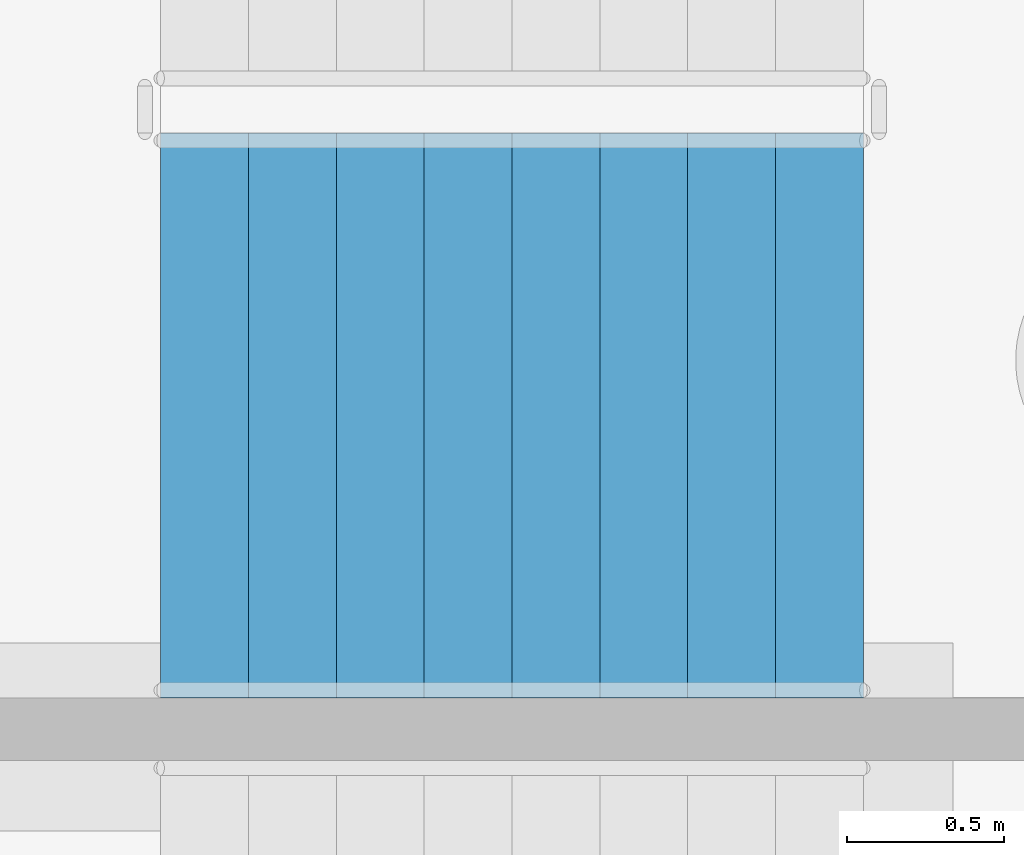
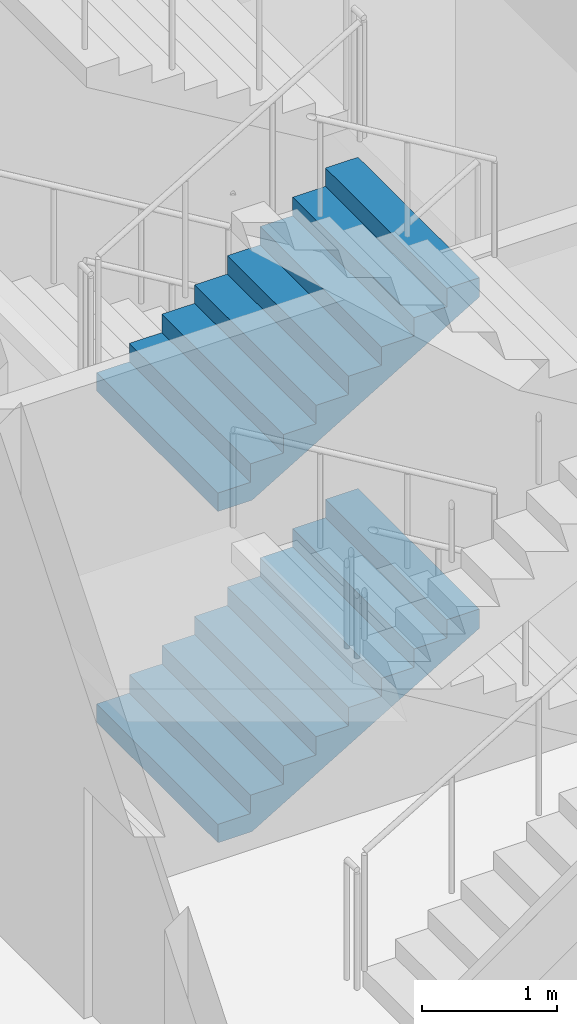
# One storey, part 25 of 39: 2 stair flights, 1 element without a shape of its own.
"""IFC4 building model written with IfcOpenShell, lengths in metres."""

from ifc_helpers import new_model, si_unit, direction, frame, origin, place, context, subcontext, project, spatial, triangles, material, type_object, element, aggregate, save


model = new_model("IFC4")

# Units and contexts
model_context = context("Model", 3, precision=1e-05, world=origin(), true_north=direction((0.0, 1.0)))
body_context = subcontext(model_context, "Body", "Model", "MODEL_VIEW")
ifc_project = project(units=[si_unit("LENGTHUNIT", "METRE"), si_unit("AREAUNIT", "SQUARE_METRE"), si_unit("VOLUMEUNIT", "CUBIC_METRE"), si_unit("PLANEANGLEUNIT", "RADIAN"), si_unit("MASSUNIT", "GRAM", prefix="KILO")], contexts=[model_context])

# Site, building, storey
site_placement = place(None, origin())
site = spatial("IfcSite", under=ifc_project, at=site_placement, CompositionType="ELEMENT")
building_placement = place(site_placement, origin())
building = spatial("IfcBuilding", under=site, at=building_placement, Name="Magnolia Steps Interchange", CompositionType="ELEMENT")
storey_placement = place(building_placement, frame((0.0, 0.0, -11.39990234375)))
storey = spatial("IfcBuildingStorey", under=building, at=storey_placement, Name="B2", CompositionType="ELEMENT", Elevation=-11.39990234375)

# Stair, stair flights
ifc_material_1 = material(Name="Concrete C40", Category="concrete")
stair_type = type_object("IfcStairType", Name="Exit stair 1800", PredefinedType="HALF_TURN_STAIR", material=ifc_material_1)
stair_placement = place(storey_placement, origin())
stair = element("IfcStair", 1, at=stair_placement, inside=storey, type_object=stair_type, Name="B2 Stair 13", PredefinedType="HALF_TURN_STAIR")
ifc_material_2 = material(Name="Concrete C40", Category="concrete")
stair_flight_type = type_object("IfcStairFlightType", Name="Exit stair flight", PredefinedType="STRAIGHT", material=ifc_material_2)
stair_flight_1_placement = place(storey_placement, frame((156.875, 65.02490234375, 0.0), z_axis=(0.0, 0.0, 1.0), x_axis=(1.0, 0.0, 0.0)))
stair_flight_1 = element("IfcStairFlight", 2, at=stair_flight_1_placement, type_object=stair_flight_type, Name="Stair 13 flight 1", NumberOfRisers=9, NumberOfTreads=8, PredefinedType="STRAIGHT", RiserHeight=0.166666667, TreadLength=0.28, context=body_context, shape_type="Tessellation", body=[
    triangles([(0.0, -0.9000244140625, 0.0), (0.29296875, -0.9000244140625, 0.0), (2.239990234375, -0.9000244140625, 1.158935546875), (2.239990234375, -0.9000244140625, 1.333251953125), (1.9599609375, -0.9000244140625, 1.333251953125), (1.9599609375, -0.9000244140625, 1.166748046875), (1.679931640625, -0.9000244140625, 1.166748046875), (1.679931640625, -0.9000244140625, 1.0), (1.39990234375, -0.9000244140625, 1.0), (1.39990234375, -0.9000244140625, 0.833251953125), (1.1201171875, -0.9000244140625, 0.833251953125), (1.1201171875, -0.9000244140625, 0.666748046875), (0.840087890625, -0.9000244140625, 0.666748046875), (0.840087890625, -0.9000244140625, 0.5), (0.56005859375, -0.9000244140625, 0.5), (0.56005859375, -0.9000244140625, 0.333251953125), (0.280029296875, -0.9000244140625, 0.333251953125), (0.280029296875, -0.9000244140625, 0.166748046875), (0.0, -0.9000244140625, 0.166748046875), (0.0, 0.9000244140625, 0.0), (0.29296875, 0.9000244140625, 0.0), (2.239990234375, 0.9000244140625, 1.158935546875), (2.239990234375, 0.9000244140625, 1.333251953125), (1.9599609375, 0.9000244140625, 1.333251953125), (1.9599609375, 0.9000244140625, 1.166748046875), (1.679931640625, 0.9000244140625, 1.166748046875), (1.679931640625, 0.9000244140625, 1.0), (1.39990234375, 0.9000244140625, 1.0), (1.39990234375, 0.9000244140625, 0.833251953125), (1.1201171875, 0.9000244140625, 0.833251953125), (1.1201171875, 0.9000244140625, 0.666748046875), (0.840087890625, 0.9000244140625, 0.666748046875), (0.840087890625, 0.9000244140625, 0.5), (0.56005859375, 0.9000244140625, 0.5), (0.56005859375, 0.9000244140625, 0.333251953125), (0.280029296875, 0.9000244140625, 0.333251953125), (0.280029296875, 0.9000244140625, 0.166748046875), (0.0, 0.9000244140625, 0.166748046875), (0.0, 0.0, 0.0), (0.0, 0.0, 0.04168701171875), (0.0, 0.0, 0.0833740234375), (0.0, 0.0, 0.12506103515625), (0.0, 0.0, 0.166748046875), (0.0, -0.05, 0.0), (0.0, -0.05, 0.166748046875), (0.0, 0.05, 0.0), (0.0, 0.05, 0.166748046875), (0.046671549479166664, 0.0, 0.166748046875), (0.09334309895833333, 0.0, 0.166748046875), (0.1400146484375, 0.0, 0.166748046875), (0.18668619791666666, 0.0, 0.166748046875), (0.23335774739583334, 0.0, 0.166748046875), (0.280029296875, 0.0, 0.166748046875), (0.280029296875, -0.05, 0.166748046875), (0.280029296875, 0.05, 0.166748046875), (0.280029296875, 0.0, 0.2083740234375), (0.280029296875, 0.0, 0.25), (0.280029296875, 0.0, 0.2916259765625), (0.280029296875, 0.0, 0.333251953125), (0.280029296875, -0.05, 0.333251953125), (0.280029296875, 0.05, 0.333251953125), (0.3267008463541667, 0.0, 0.333251953125), (0.3733723958333333, 0.0, 0.333251953125), (0.4200439453125, 0.0, 0.333251953125), (0.46671549479166663, 0.0, 0.333251953125), (0.5133870442708334, 0.0, 0.333251953125), (0.56005859375, 0.0, 0.333251953125), (0.56005859375, -0.05, 0.333251953125), (0.56005859375, 0.05, 0.333251953125), (0.56005859375, 0.0, 0.37493896484375), (0.56005859375, 0.0, 0.4166259765625), (0.56005859375, 0.0, 0.45831298828125), (0.56005859375, 0.0, 0.5), (0.56005859375, -0.05, 0.5), (0.56005859375, 0.05, 0.5), (0.6067301432291666, 0.0, 0.5), (0.6534016927083334, 0.0, 0.5), (0.7000732421875, 0.0, 0.5), (0.7467447916666666, 0.0, 0.5), (0.7934163411458334, 0.0, 0.5), (0.840087890625, 0.0, 0.5), (0.840087890625, -0.05, 0.5), (0.840087890625, 0.05, 0.5), (0.840087890625, 0.0, 0.54168701171875), (0.840087890625, 0.0, 0.5833740234375), (0.840087890625, 0.0, 0.62506103515625), (0.840087890625, 0.0, 0.666748046875), (0.840087890625, -0.05, 0.666748046875), (0.840087890625, 0.05, 0.666748046875), (0.8867594401041666, 0.0, 0.666748046875), (0.9334309895833334, 0.0, 0.666748046875), (0.9801025390625, 0.0, 0.666748046875), (1.0267740885416667, 0.0, 0.666748046875), (1.0734456380208333, 0.0, 0.666748046875), (1.1201171875, 0.0, 0.666748046875), (1.1201171875, -0.05, 0.666748046875), (1.1201171875, 0.05, 0.666748046875), (1.1201171875, 0.0, 0.7083740234375), (1.1201171875, 0.0, 0.75), (1.1201171875, 0.0, 0.7916259765625), (1.1201171875, 0.0, 0.833251953125), (1.1201171875, -0.05, 0.833251953125), (1.1201171875, 0.05, 0.833251953125), (1.1900634765625, 0.0, 0.833251953125), (1.260009765625, 0.0, 0.833251953125), (1.3299560546875, 0.0, 0.833251953125), (1.39990234375, 0.0, 0.833251953125), (1.39990234375, -0.05, 0.833251953125), (1.39990234375, 0.05, 0.833251953125), (1.39990234375, 0.0, 0.87493896484375), (1.39990234375, 0.0, 0.9166259765625), (1.39990234375, 0.0, 0.95831298828125), (1.39990234375, 0.0, 1.0), (1.39990234375, -0.05, 1.0), (1.39990234375, 0.05, 1.0), (1.4465738932291667, 0.0, 1.0), (1.4932454427083333, 0.0, 1.0), (1.5399169921875, 0.0, 1.0), (1.5865885416666667, 0.0, 1.0), (1.6332600911458333, 0.0, 1.0), (1.679931640625, 0.0, 1.0), (1.679931640625, -0.05, 1.0), (1.679931640625, 0.05, 1.0), (1.679931640625, 0.0, 1.04168701171875), (1.679931640625, 0.0, 1.0833740234375), (1.679931640625, 0.0, 1.12506103515625), (1.679931640625, 0.0, 1.166748046875), (1.679931640625, -0.05, 1.166748046875), (1.679931640625, 0.05, 1.166748046875), (1.7266031901041667, 0.0, 1.166748046875), (1.7732747395833333, 0.0, 1.166748046875), (1.8199462890625, 0.0, 1.166748046875), (1.8666178385416667, 0.0, 1.166748046875), (1.9132893880208333, 0.0, 1.166748046875), (1.9599609375, 0.0, 1.166748046875), (1.9599609375, -0.05, 1.166748046875), (1.9599609375, 0.05, 1.166748046875), (1.9599609375, 0.0, 1.2083740234375), (1.9599609375, 0.0, 1.25), (1.9599609375, 0.0, 1.2916259765625), (1.9599609375, 0.0, 1.333251953125), (1.9599609375, -0.05, 1.333251953125), (1.9599609375, 0.05, 1.333251953125), (2.0066324869791665, 0.0, 1.333251953125), (2.0533040364583335, 0.0, 1.333251953125), (2.0999755859375, 0.0, 1.333251953125), (2.1466471354166665, 0.0, 1.333251953125), (2.1933186848958335, 0.0, 1.333251953125), (2.239990234375, 0.0, 1.333251953125), (2.239990234375, -0.05, 1.333251953125), (2.239990234375, 0.05, 1.333251953125), (2.239990234375, 0.0, 1.2896728515625), (2.239990234375, 0.0, 1.24609375), (2.239990234375, 0.0, 1.2025146484375), (2.239990234375, 0.0, 1.158935546875), (2.239990234375, -0.05, 1.158935546875), (2.239990234375, 0.05, 1.158935546875), (2.1827248965992645, 0.0, 1.1248492072610294), (2.1254595588235294, 0.0, 1.0907628676470589), (2.068194221047794, 0.0, 1.0566765280330883), (2.010928883272059, 0.0, 1.0225901884191178), (1.9536635454963236, 0.0, 0.9885038488051471), (1.8963982077205883, 0.0, 0.9544175091911764), (1.8391328699448528, 0.0, 0.9203311695772058), (1.7818675321691178, 0.0, 0.8862448299632353), (1.7246021943933822, 0.0, 0.8521584903492647), (1.6673368566176472, 0.0, 0.8180721507352942), (1.6100715188419117, 0.0, 0.7839858111213236), (1.5528061810661766, 0.0, 0.7498994715073529), (1.4955408432904411, 0.0, 0.7158131318933824), (1.4382755055147058, 0.0, 0.6817267922794117), (1.3810101677389706, 0.0, 0.6476404526654411), (1.3237448299632353, 0.0, 0.6135541130514706), (1.2664794921875, 0.0, 0.5794677734375), (1.2092141544117647, 0.0, 0.5453814338235294), (1.1519488166360294, 0.0, 0.5112950942095589), (1.0946834788602942, 0.0, 0.4772087545955882), (1.0374181410845589, 0.0, 0.44312241498161764), (0.9801528033088236, 0.0, 0.4090360753676471), (0.9228874655330883, 0.0, 0.3749497357536765), (0.865622127757353, 0.0, 0.34086339613970584), (0.8083567899816178, 0.0, 0.3067770565257353), (0.7510914522058822, 0.0, 0.2726907169117647), (0.693826114430147, 0.0, 0.23860437729779416), (0.6365607766544117, 0.0, 0.20451803768382348), (0.5792954388786764, 0.0, 0.17043169806985292), (0.5220301011029411, 0.0, 0.13634535845588225), (0.46476476332720584, 0.0, 0.10225901884191169), (0.40749942555147056, 0.0, 0.06817267922794112), (0.3502340877757353, 0.0, 0.03408633961397056), (0.29296875, 0.0, 0.0), (0.29296875, -0.05, 0.0), (0.29296875, 0.05, 0.0), (0.244140625, 0.0, 0.0), (0.1953125, 0.0, 0.0), (0.146484375, 0.0, 0.0), (0.09765625, 0.0, 0.0), (0.048828125, 0.0, 0.0)], [[1, 2, 3], [3, 4, 5], [3, 5, 6], [3, 6, 7], [3, 7, 8], [8, 9, 10], [3, 8, 10], [10, 11, 12], [3, 10, 12], [12, 13, 14], [3, 12, 14], [14, 15, 16], [3, 14, 16], [1, 3, 16], [16, 17, 18], [1, 16, 18], [18, 19, 1], [20, 22, 21], [22, 24, 23], [22, 25, 24], [22, 26, 25], [22, 27, 26], [27, 29, 28], [22, 29, 27], [29, 31, 30], [22, 31, 29], [31, 33, 32], [22, 33, 31], [33, 35, 34], [22, 35, 33], [20, 35, 22], [35, 37, 36], [20, 37, 35], [37, 20, 38], [1, 19, 45], [1, 45, 44], [44, 40, 39], [44, 41, 40], [44, 45, 41], [45, 42, 41], [45, 43, 42], [20, 47, 38], [20, 46, 47], [46, 39, 40], [46, 40, 41], [46, 41, 47], [47, 41, 42], [47, 42, 43], [19, 18, 54], [19, 54, 45], [45, 48, 43], [45, 49, 48], [45, 50, 49], [45, 54, 50], [54, 51, 50], [54, 52, 51], [54, 53, 52], [38, 55, 37], [38, 47, 55], [47, 43, 48], [47, 48, 49], [47, 49, 50], [47, 50, 55], [55, 50, 51], [55, 51, 52], [55, 52, 53], [18, 17, 60], [18, 60, 54], [54, 56, 53], [54, 57, 56], [54, 60, 57], [60, 58, 57], [60, 59, 58], [37, 61, 36], [37, 55, 61], [55, 53, 56], [55, 56, 57], [55, 57, 61], [61, 57, 58], [61, 58, 59], [17, 16, 68], [17, 68, 60], [60, 62, 59], [60, 63, 62], [60, 64, 63], [60, 68, 64], [68, 65, 64], [68, 66, 65], [68, 67, 66], [36, 69, 35], [36, 61, 69], [61, 59, 62], [61, 62, 63], [61, 63, 64], [61, 64, 69], [69, 64, 65], [69, 65, 66], [69, 66, 67], [16, 15, 74], [16, 74, 68], [68, 70, 67], [68, 71, 70], [68, 74, 71], [74, 72, 71], [74, 73, 72], [35, 75, 34], [35, 69, 75], [69, 67, 70], [69, 70, 71], [69, 71, 75], [75, 71, 72], [75, 72, 73], [15, 14, 82], [15, 82, 74], [74, 76, 73], [74, 77, 76], [74, 78, 77], [74, 82, 78], [82, 79, 78], [82, 80, 79], [82, 81, 80], [34, 83, 33], [34, 75, 83], [75, 73, 76], [75, 76, 77], [75, 77, 78], [75, 78, 83], [83, 78, 79], [83, 79, 80], [83, 80, 81], [14, 13, 88], [14, 88, 82], [82, 84, 81], [82, 85, 84], [82, 88, 85], [88, 86, 85], [88, 87, 86], [33, 89, 32], [33, 83, 89], [83, 81, 84], [83, 84, 85], [83, 85, 89], [89, 85, 86], [89, 86, 87], [13, 12, 96], [13, 96, 88], [88, 90, 87], [88, 91, 90], [88, 92, 91], [88, 96, 92], [96, 93, 92], [96, 94, 93], [96, 95, 94], [32, 97, 31], [32, 89, 97], [89, 87, 90], [89, 90, 91], [89, 91, 92], [89, 92, 97], [97, 92, 93], [97, 93, 94], [97, 94, 95], [12, 11, 102], [12, 102, 96], [96, 98, 95], [96, 99, 98], [96, 102, 99], [102, 100, 99], [102, 101, 100], [31, 103, 30], [31, 97, 103], [97, 95, 98], [97, 98, 99], [97, 99, 103], [103, 99, 100], [103, 100, 101], [11, 10, 108], [11, 108, 102], [102, 104, 101], [102, 105, 104], [102, 108, 105], [108, 106, 105], [108, 107, 106], [30, 109, 29], [30, 103, 109], [103, 101, 104], [103, 104, 105], [103, 105, 109], [109, 105, 106], [109, 106, 107], [10, 9, 114], [10, 114, 108], [108, 110, 107], [108, 111, 110], [108, 114, 111], [114, 112, 111], [114, 113, 112], [29, 115, 28], [29, 109, 115], [109, 107, 110], [109, 110, 111], [109, 111, 115], [115, 111, 112], [115, 112, 113], [9, 8, 122], [9, 122, 114], [114, 116, 113], [114, 117, 116], [114, 118, 117], [114, 122, 118], [122, 119, 118], [122, 120, 119], [122, 121, 120], [28, 123, 27], [28, 115, 123], [115, 113, 116], [115, 116, 117], [115, 117, 118], [115, 118, 123], [123, 118, 119], [123, 119, 120], [123, 120, 121], [8, 7, 128], [8, 128, 122], [122, 124, 121], [122, 125, 124], [122, 128, 125], [128, 126, 125], [128, 127, 126], [27, 129, 26], [27, 123, 129], [123, 121, 124], [123, 124, 125], [123, 125, 129], [129, 125, 126], [129, 126, 127], [7, 6, 136], [7, 136, 128], [128, 130, 127], [128, 131, 130], [128, 132, 131], [128, 136, 132], [136, 133, 132], [136, 134, 133], [136, 135, 134], [26, 137, 25], [26, 129, 137], [129, 127, 130], [129, 130, 131], [129, 131, 132], [129, 132, 137], [137, 132, 133], [137, 133, 134], [137, 134, 135], [6, 5, 142], [6, 142, 136], [136, 138, 135], [136, 139, 138], [136, 142, 139], [142, 140, 139], [142, 141, 140], [25, 143, 24], [25, 137, 143], [137, 135, 138], [137, 138, 139], [137, 139, 143], [143, 139, 140], [143, 140, 141], [5, 4, 150], [5, 150, 142], [142, 144, 141], [142, 145, 144], [142, 146, 145], [142, 150, 146], [150, 147, 146], [150, 148, 147], [150, 149, 148], [24, 151, 23], [24, 143, 151], [143, 141, 144], [143, 144, 145], [143, 145, 146], [143, 146, 151], [151, 146, 147], [151, 147, 148], [151, 148, 149], [4, 3, 156], [4, 156, 150], [150, 152, 149], [150, 153, 152], [150, 156, 153], [156, 154, 153], [156, 155, 154], [23, 157, 22], [23, 151, 157], [151, 149, 152], [151, 152, 153], [151, 153, 157], [157, 153, 154], [157, 154, 155], [3, 2, 192], [3, 192, 156], [156, 158, 155], [156, 159, 158], [156, 160, 159], [156, 161, 160], [156, 162, 161], [156, 163, 162], [156, 164, 163], [156, 165, 164], [156, 166, 165], [156, 167, 166], [156, 168, 167], [156, 169, 168], [156, 170, 169], [156, 171, 170], [156, 172, 171], [156, 173, 172], [156, 174, 173], [156, 192, 174], [192, 175, 174], [192, 176, 175], [192, 177, 176], [192, 178, 177], [192, 179, 178], [192, 180, 179], [192, 181, 180], [192, 182, 181], [192, 183, 182], [192, 184, 183], [192, 185, 184], [192, 186, 185], [192, 187, 186], [192, 188, 187], [192, 189, 188], [192, 190, 189], [192, 191, 190], [22, 193, 21], [22, 157, 193], [157, 155, 158], [157, 158, 159], [157, 159, 160], [157, 160, 161], [157, 161, 162], [157, 162, 163], [157, 163, 164], [157, 164, 165], [157, 165, 166], [157, 166, 167], [157, 167, 168], [157, 168, 169], [157, 169, 170], [157, 170, 171], [157, 171, 172], [157, 172, 173], [157, 173, 174], [157, 174, 193], [193, 174, 175], [193, 175, 176], [193, 176, 177], [193, 177, 178], [193, 178, 179], [193, 179, 180], [193, 180, 181], [193, 181, 182], [193, 182, 183], [193, 183, 184], [193, 184, 185], [193, 185, 186], [193, 186, 187], [193, 187, 188], [193, 188, 189], [193, 189, 190], [193, 190, 191], [2, 1, 44], [2, 44, 192], [192, 194, 191], [192, 195, 194], [192, 196, 195], [192, 44, 196], [44, 197, 196], [44, 198, 197], [44, 39, 198], [21, 46, 20], [21, 193, 46], [193, 191, 194], [193, 194, 195], [193, 195, 196], [193, 196, 46], [46, 196, 197], [46, 197, 198], [46, 198, 39]], closed=True),
])
stair_flight_2_placement = place(storey_placement, frame((156.875, 65.02490234375, 3.0), z_axis=(0.0, 0.0, 1.0), x_axis=(1.0, 0.0, 0.0)))
stair_flight_2 = element("IfcStairFlight", 3, at=stair_flight_2_placement, type_object=stair_flight_type, Name="Stair 13 flight 3", NumberOfRisers=9, NumberOfTreads=8, PredefinedType="STRAIGHT", RiserHeight=0.166666667, TreadLength=0.28, context=body_context, shape_type="Tessellation", body=[
    triangles([(0.0, -0.9000244140625, 0.0), (0.29296875, -0.9000244140625, 0.0), (2.239990234375, -0.9000244140625, 1.158935546875), (2.239990234375, -0.9000244140625, 1.333251953125), (1.9599609375, -0.9000244140625, 1.333251953125), (1.9599609375, -0.9000244140625, 1.166748046875), (1.679931640625, -0.9000244140625, 1.166748046875), (1.679931640625, -0.9000244140625, 1.0), (1.39990234375, -0.9000244140625, 1.0), (1.39990234375, -0.9000244140625, 0.833251953125), (1.1201171875, -0.9000244140625, 0.833251953125), (1.1201171875, -0.9000244140625, 0.666748046875), (0.840087890625, -0.9000244140625, 0.666748046875), (0.840087890625, -0.9000244140625, 0.5), (0.56005859375, -0.9000244140625, 0.5), (0.56005859375, -0.9000244140625, 0.333251953125), (0.280029296875, -0.9000244140625, 0.333251953125), (0.280029296875, -0.9000244140625, 0.166748046875), (0.0, -0.9000244140625, 0.166748046875), (0.0, 0.9000244140625, 0.0), (0.29296875, 0.9000244140625, 0.0), (2.239990234375, 0.9000244140625, 1.158935546875), (2.239990234375, 0.9000244140625, 1.333251953125), (1.9599609375, 0.9000244140625, 1.333251953125), (1.9599609375, 0.9000244140625, 1.166748046875), (1.679931640625, 0.9000244140625, 1.166748046875), (1.679931640625, 0.9000244140625, 1.0), (1.39990234375, 0.9000244140625, 1.0), (1.39990234375, 0.9000244140625, 0.833251953125), (1.1201171875, 0.9000244140625, 0.833251953125), (1.1201171875, 0.9000244140625, 0.666748046875), (0.840087890625, 0.9000244140625, 0.666748046875), (0.840087890625, 0.9000244140625, 0.5), (0.56005859375, 0.9000244140625, 0.5), (0.56005859375, 0.9000244140625, 0.333251953125), (0.280029296875, 0.9000244140625, 0.333251953125), (0.280029296875, 0.9000244140625, 0.166748046875), (0.0, 0.9000244140625, 0.166748046875), (0.0, 0.0, 0.0), (0.0, 0.0, 0.04168701171875), (0.0, 0.0, 0.0833740234375), (0.0, 0.0, 0.12506103515625), (0.0, 0.0, 0.166748046875), (0.0, -0.05, 0.0), (0.0, -0.05, 0.166748046875), (0.0, 0.05, 0.0), (0.0, 0.05, 0.166748046875), (0.046671549479166664, 0.0, 0.166748046875), (0.09334309895833333, 0.0, 0.166748046875), (0.1400146484375, 0.0, 0.166748046875), (0.18668619791666666, 0.0, 0.166748046875), (0.23335774739583334, 0.0, 0.166748046875), (0.280029296875, 0.0, 0.166748046875), (0.280029296875, -0.05, 0.166748046875), (0.280029296875, 0.05, 0.166748046875), (0.280029296875, 0.0, 0.2083740234375), (0.280029296875, 0.0, 0.25), (0.280029296875, 0.0, 0.2916259765625), (0.280029296875, 0.0, 0.333251953125), (0.280029296875, -0.05, 0.333251953125), (0.280029296875, 0.05, 0.333251953125), (0.3267008463541667, 0.0, 0.333251953125), (0.3733723958333333, 0.0, 0.333251953125), (0.4200439453125, 0.0, 0.333251953125), (0.46671549479166663, 0.0, 0.333251953125), (0.5133870442708334, 0.0, 0.333251953125), (0.56005859375, 0.0, 0.333251953125), (0.56005859375, -0.05, 0.333251953125), (0.56005859375, 0.05, 0.333251953125), (0.56005859375, 0.0, 0.37493896484375), (0.56005859375, 0.0, 0.4166259765625), (0.56005859375, 0.0, 0.45831298828125), (0.56005859375, 0.0, 0.5), (0.56005859375, -0.05, 0.5), (0.56005859375, 0.05, 0.5), (0.6067301432291666, 0.0, 0.5), (0.6534016927083334, 0.0, 0.5), (0.7000732421875, 0.0, 0.5), (0.7467447916666666, 0.0, 0.5), (0.7934163411458334, 0.0, 0.5), (0.840087890625, 0.0, 0.5), (0.840087890625, -0.05, 0.5), (0.840087890625, 0.05, 0.5), (0.840087890625, 0.0, 0.54168701171875), (0.840087890625, 0.0, 0.5833740234375), (0.840087890625, 0.0, 0.62506103515625), (0.840087890625, 0.0, 0.666748046875), (0.840087890625, -0.05, 0.666748046875), (0.840087890625, 0.05, 0.666748046875), (0.8867594401041666, 0.0, 0.666748046875), (0.9334309895833334, 0.0, 0.666748046875), (0.9801025390625, 0.0, 0.666748046875), (1.0267740885416667, 0.0, 0.666748046875), (1.0734456380208333, 0.0, 0.666748046875), (1.1201171875, 0.0, 0.666748046875), (1.1201171875, -0.05, 0.666748046875), (1.1201171875, 0.05, 0.666748046875), (1.1201171875, 0.0, 0.7083740234375), (1.1201171875, 0.0, 0.75), (1.1201171875, 0.0, 0.7916259765625), (1.1201171875, 0.0, 0.833251953125), (1.1201171875, -0.05, 0.833251953125), (1.1201171875, 0.05, 0.833251953125), (1.1900634765625, 0.0, 0.833251953125), (1.260009765625, 0.0, 0.833251953125), (1.3299560546875, 0.0, 0.833251953125), (1.39990234375, 0.0, 0.833251953125), (1.39990234375, -0.05, 0.833251953125), (1.39990234375, 0.05, 0.833251953125), (1.39990234375, 0.0, 0.87493896484375), (1.39990234375, 0.0, 0.9166259765625), (1.39990234375, 0.0, 0.95831298828125), (1.39990234375, 0.0, 1.0), (1.39990234375, -0.05, 1.0), (1.39990234375, 0.05, 1.0), (1.4465738932291667, 0.0, 1.0), (1.4932454427083333, 0.0, 1.0), (1.5399169921875, 0.0, 1.0), (1.5865885416666667, 0.0, 1.0), (1.6332600911458333, 0.0, 1.0), (1.679931640625, 0.0, 1.0), (1.679931640625, -0.05, 1.0), (1.679931640625, 0.05, 1.0), (1.679931640625, 0.0, 1.04168701171875), (1.679931640625, 0.0, 1.0833740234375), (1.679931640625, 0.0, 1.12506103515625), (1.679931640625, 0.0, 1.166748046875), (1.679931640625, -0.05, 1.166748046875), (1.679931640625, 0.05, 1.166748046875), (1.7266031901041667, 0.0, 1.166748046875), (1.7732747395833333, 0.0, 1.166748046875), (1.8199462890625, 0.0, 1.166748046875), (1.8666178385416667, 0.0, 1.166748046875), (1.9132893880208333, 0.0, 1.166748046875), (1.9599609375, 0.0, 1.166748046875), (1.9599609375, -0.05, 1.166748046875), (1.9599609375, 0.05, 1.166748046875), (1.9599609375, 0.0, 1.2083740234375), (1.9599609375, 0.0, 1.25), (1.9599609375, 0.0, 1.2916259765625), (1.9599609375, 0.0, 1.333251953125), (1.9599609375, -0.05, 1.333251953125), (1.9599609375, 0.05, 1.333251953125), (2.0066324869791665, 0.0, 1.333251953125), (2.0533040364583335, 0.0, 1.333251953125), (2.0999755859375, 0.0, 1.333251953125), (2.1466471354166665, 0.0, 1.333251953125), (2.1933186848958335, 0.0, 1.333251953125), (2.239990234375, 0.0, 1.333251953125), (2.239990234375, -0.05, 1.333251953125), (2.239990234375, 0.05, 1.333251953125), (2.239990234375, 0.0, 1.2896728515625), (2.239990234375, 0.0, 1.24609375), (2.239990234375, 0.0, 1.2025146484375), (2.239990234375, 0.0, 1.158935546875), (2.239990234375, -0.05, 1.158935546875), (2.239990234375, 0.05, 1.158935546875), (2.1827248965992645, 0.0, 1.1248492072610294), (2.1254595588235294, 0.0, 1.0907628676470589), (2.068194221047794, 0.0, 1.0566765280330883), (2.010928883272059, 0.0, 1.0225901884191178), (1.9536635454963236, 0.0, 0.9885038488051471), (1.8963982077205883, 0.0, 0.9544175091911764), (1.8391328699448528, 0.0, 0.9203311695772058), (1.7818675321691178, 0.0, 0.8862448299632353), (1.7246021943933822, 0.0, 0.8521584903492647), (1.6673368566176472, 0.0, 0.8180721507352942), (1.6100715188419117, 0.0, 0.7839858111213236), (1.5528061810661766, 0.0, 0.7498994715073529), (1.4955408432904411, 0.0, 0.7158131318933824), (1.4382755055147058, 0.0, 0.6817267922794117), (1.3810101677389706, 0.0, 0.6476404526654411), (1.3237448299632353, 0.0, 0.6135541130514706), (1.2664794921875, 0.0, 0.5794677734375), (1.2092141544117647, 0.0, 0.5453814338235294), (1.1519488166360294, 0.0, 0.5112950942095589), (1.0946834788602942, 0.0, 0.4772087545955882), (1.0374181410845589, 0.0, 0.44312241498161764), (0.9801528033088236, 0.0, 0.4090360753676471), (0.9228874655330883, 0.0, 0.3749497357536765), (0.865622127757353, 0.0, 0.34086339613970584), (0.8083567899816178, 0.0, 0.3067770565257353), (0.7510914522058822, 0.0, 0.2726907169117647), (0.693826114430147, 0.0, 0.23860437729779416), (0.6365607766544117, 0.0, 0.20451803768382348), (0.5792954388786764, 0.0, 0.17043169806985292), (0.5220301011029411, 0.0, 0.13634535845588225), (0.46476476332720584, 0.0, 0.10225901884191169), (0.40749942555147056, 0.0, 0.06817267922794112), (0.3502340877757353, 0.0, 0.03408633961397056), (0.29296875, 0.0, 0.0), (0.29296875, -0.05, 0.0), (0.29296875, 0.05, 0.0), (0.244140625, 0.0, 0.0), (0.1953125, 0.0, 0.0), (0.146484375, 0.0, 0.0), (0.09765625, 0.0, 0.0), (0.048828125, 0.0, 0.0)], [[1, 2, 3], [3, 4, 5], [3, 5, 6], [3, 6, 7], [3, 7, 8], [8, 9, 10], [3, 8, 10], [10, 11, 12], [3, 10, 12], [12, 13, 14], [3, 12, 14], [14, 15, 16], [3, 14, 16], [1, 3, 16], [16, 17, 18], [1, 16, 18], [18, 19, 1], [20, 22, 21], [22, 24, 23], [22, 25, 24], [22, 26, 25], [22, 27, 26], [27, 29, 28], [22, 29, 27], [29, 31, 30], [22, 31, 29], [31, 33, 32], [22, 33, 31], [33, 35, 34], [22, 35, 33], [20, 35, 22], [35, 37, 36], [20, 37, 35], [37, 20, 38], [1, 19, 45], [1, 45, 44], [44, 40, 39], [44, 41, 40], [44, 45, 41], [45, 42, 41], [45, 43, 42], [20, 47, 38], [20, 46, 47], [46, 39, 40], [46, 40, 41], [46, 41, 47], [47, 41, 42], [47, 42, 43], [19, 18, 54], [19, 54, 45], [45, 48, 43], [45, 49, 48], [45, 50, 49], [45, 54, 50], [54, 51, 50], [54, 52, 51], [54, 53, 52], [38, 55, 37], [38, 47, 55], [47, 43, 48], [47, 48, 49], [47, 49, 50], [47, 50, 55], [55, 50, 51], [55, 51, 52], [55, 52, 53], [18, 17, 60], [18, 60, 54], [54, 56, 53], [54, 57, 56], [54, 60, 57], [60, 58, 57], [60, 59, 58], [37, 61, 36], [37, 55, 61], [55, 53, 56], [55, 56, 57], [55, 57, 61], [61, 57, 58], [61, 58, 59], [17, 16, 68], [17, 68, 60], [60, 62, 59], [60, 63, 62], [60, 64, 63], [60, 68, 64], [68, 65, 64], [68, 66, 65], [68, 67, 66], [36, 69, 35], [36, 61, 69], [61, 59, 62], [61, 62, 63], [61, 63, 64], [61, 64, 69], [69, 64, 65], [69, 65, 66], [69, 66, 67], [16, 15, 74], [16, 74, 68], [68, 70, 67], [68, 71, 70], [68, 74, 71], [74, 72, 71], [74, 73, 72], [35, 75, 34], [35, 69, 75], [69, 67, 70], [69, 70, 71], [69, 71, 75], [75, 71, 72], [75, 72, 73], [15, 14, 82], [15, 82, 74], [74, 76, 73], [74, 77, 76], [74, 78, 77], [74, 82, 78], [82, 79, 78], [82, 80, 79], [82, 81, 80], [34, 83, 33], [34, 75, 83], [75, 73, 76], [75, 76, 77], [75, 77, 78], [75, 78, 83], [83, 78, 79], [83, 79, 80], [83, 80, 81], [14, 13, 88], [14, 88, 82], [82, 84, 81], [82, 85, 84], [82, 88, 85], [88, 86, 85], [88, 87, 86], [33, 89, 32], [33, 83, 89], [83, 81, 84], [83, 84, 85], [83, 85, 89], [89, 85, 86], [89, 86, 87], [13, 12, 96], [13, 96, 88], [88, 90, 87], [88, 91, 90], [88, 92, 91], [88, 96, 92], [96, 93, 92], [96, 94, 93], [96, 95, 94], [32, 97, 31], [32, 89, 97], [89, 87, 90], [89, 90, 91], [89, 91, 92], [89, 92, 97], [97, 92, 93], [97, 93, 94], [97, 94, 95], [12, 11, 102], [12, 102, 96], [96, 98, 95], [96, 99, 98], [96, 102, 99], [102, 100, 99], [102, 101, 100], [31, 103, 30], [31, 97, 103], [97, 95, 98], [97, 98, 99], [97, 99, 103], [103, 99, 100], [103, 100, 101], [11, 10, 108], [11, 108, 102], [102, 104, 101], [102, 105, 104], [102, 108, 105], [108, 106, 105], [108, 107, 106], [30, 109, 29], [30, 103, 109], [103, 101, 104], [103, 104, 105], [103, 105, 109], [109, 105, 106], [109, 106, 107], [10, 9, 114], [10, 114, 108], [108, 110, 107], [108, 111, 110], [108, 114, 111], [114, 112, 111], [114, 113, 112], [29, 115, 28], [29, 109, 115], [109, 107, 110], [109, 110, 111], [109, 111, 115], [115, 111, 112], [115, 112, 113], [9, 8, 122], [9, 122, 114], [114, 116, 113], [114, 117, 116], [114, 118, 117], [114, 122, 118], [122, 119, 118], [122, 120, 119], [122, 121, 120], [28, 123, 27], [28, 115, 123], [115, 113, 116], [115, 116, 117], [115, 117, 118], [115, 118, 123], [123, 118, 119], [123, 119, 120], [123, 120, 121], [8, 7, 128], [8, 128, 122], [122, 124, 121], [122, 125, 124], [122, 128, 125], [128, 126, 125], [128, 127, 126], [27, 129, 26], [27, 123, 129], [123, 121, 124], [123, 124, 125], [123, 125, 129], [129, 125, 126], [129, 126, 127], [7, 6, 136], [7, 136, 128], [128, 130, 127], [128, 131, 130], [128, 132, 131], [128, 136, 132], [136, 133, 132], [136, 134, 133], [136, 135, 134], [26, 137, 25], [26, 129, 137], [129, 127, 130], [129, 130, 131], [129, 131, 132], [129, 132, 137], [137, 132, 133], [137, 133, 134], [137, 134, 135], [6, 5, 142], [6, 142, 136], [136, 138, 135], [136, 139, 138], [136, 142, 139], [142, 140, 139], [142, 141, 140], [25, 143, 24], [25, 137, 143], [137, 135, 138], [137, 138, 139], [137, 139, 143], [143, 139, 140], [143, 140, 141], [5, 4, 150], [5, 150, 142], [142, 144, 141], [142, 145, 144], [142, 146, 145], [142, 150, 146], [150, 147, 146], [150, 148, 147], [150, 149, 148], [24, 151, 23], [24, 143, 151], [143, 141, 144], [143, 144, 145], [143, 145, 146], [143, 146, 151], [151, 146, 147], [151, 147, 148], [151, 148, 149], [4, 3, 156], [4, 156, 150], [150, 152, 149], [150, 153, 152], [150, 156, 153], [156, 154, 153], [156, 155, 154], [23, 157, 22], [23, 151, 157], [151, 149, 152], [151, 152, 153], [151, 153, 157], [157, 153, 154], [157, 154, 155], [3, 2, 192], [3, 192, 156], [156, 158, 155], [156, 159, 158], [156, 160, 159], [156, 161, 160], [156, 162, 161], [156, 163, 162], [156, 164, 163], [156, 165, 164], [156, 166, 165], [156, 167, 166], [156, 168, 167], [156, 169, 168], [156, 170, 169], [156, 171, 170], [156, 172, 171], [156, 173, 172], [156, 174, 173], [156, 192, 174], [192, 175, 174], [192, 176, 175], [192, 177, 176], [192, 178, 177], [192, 179, 178], [192, 180, 179], [192, 181, 180], [192, 182, 181], [192, 183, 182], [192, 184, 183], [192, 185, 184], [192, 186, 185], [192, 187, 186], [192, 188, 187], [192, 189, 188], [192, 190, 189], [192, 191, 190], [22, 193, 21], [22, 157, 193], [157, 155, 158], [157, 158, 159], [157, 159, 160], [157, 160, 161], [157, 161, 162], [157, 162, 163], [157, 163, 164], [157, 164, 165], [157, 165, 166], [157, 166, 167], [157, 167, 168], [157, 168, 169], [157, 169, 170], [157, 170, 171], [157, 171, 172], [157, 172, 173], [157, 173, 174], [157, 174, 193], [193, 174, 175], [193, 175, 176], [193, 176, 177], [193, 177, 178], [193, 178, 179], [193, 179, 180], [193, 180, 181], [193, 181, 182], [193, 182, 183], [193, 183, 184], [193, 184, 185], [193, 185, 186], [193, 186, 187], [193, 187, 188], [193, 188, 189], [193, 189, 190], [193, 190, 191], [2, 1, 44], [2, 44, 192], [192, 194, 191], [192, 195, 194], [192, 196, 195], [192, 44, 196], [44, 197, 196], [44, 198, 197], [44, 39, 198], [21, 46, 20], [21, 193, 46], [193, 191, 194], [193, 194, 195], [193, 195, 196], [193, 196, 46], [46, 196, 197], [46, 197, 198], [46, 198, 39]], closed=True),
])
aggregate(stair, [stair_flight_1, stair_flight_2])

save(model, "model.ifc")
